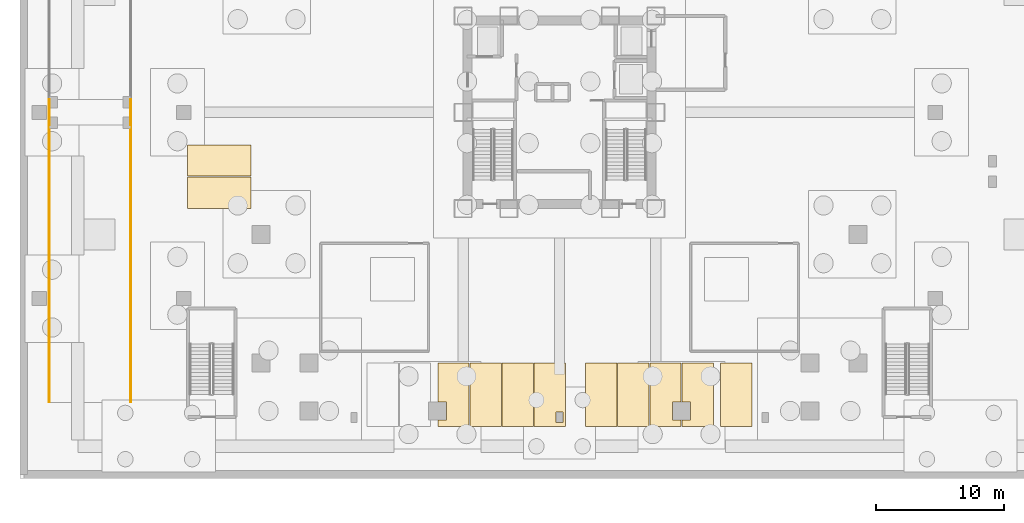
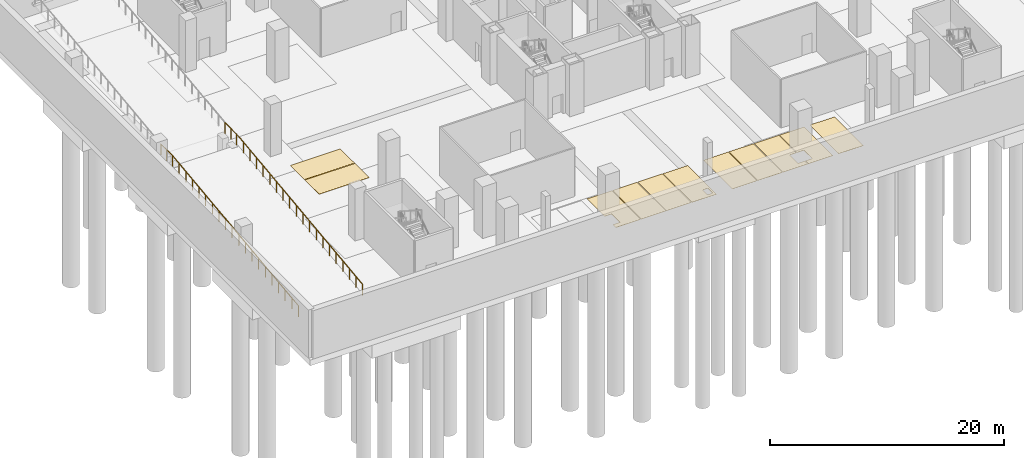
# One storey, part 10 of 16: 11 coverings, 4 railings.
"""IFC4 building model written with IfcOpenShell, lengths in metres."""

from ifc_helpers import new_model, si_unit, direction, frame, origin, origin_2d, place, context, subcontext, project, spatial, polyline, circle, outline, extrude, material, layer, layer_set, type_object, element, save


model = new_model("IFC4")

# Units and contexts
model_context = context("Model", 3, precision=1e-05, world=origin(), true_north=direction((0.0, 1.0)))
body_context = subcontext(model_context, "Body", "Model", "MODEL_VIEW")
ifc_project = project(units=[si_unit("LENGTHUNIT", "METRE"), si_unit("AREAUNIT", "SQUARE_METRE"), si_unit("VOLUMEUNIT", "CUBIC_METRE"), si_unit("PLANEANGLEUNIT", "RADIAN"), si_unit("MASSUNIT", "GRAM", prefix="KILO")], contexts=[model_context])

# Site, building, storey
site_placement = place(None, origin())
site = spatial("IfcSite", under=ifc_project, at=site_placement, CompositionType="ELEMENT")
building_placement = place(site_placement, origin())
building = spatial("IfcBuilding", under=site, at=building_placement, Name="Trevonay Congress Spire", CompositionType="ELEMENT")
storey_placement = place(building_placement, frame((0.0, 0.0, -10.800048828125)))
storey = spatial("IfcBuildingStorey", under=building, at=storey_placement, Name="B2", CompositionType="ELEMENT", Elevation=-10.800048828125)

# Coverings
ifc_material_1 = material(Name="Polished Granite Floor Tile", Category="masonry")
ifc_layer = layer(ifc_material_1, 0.02001953125, Name="Polished Granite Floor Tile")
ifc_layer_set = layer_set([ifc_layer], Name="Polished Granite Floor Tile")
covering_type = type_object("IfcCoveringType", Name="COV-FLOOR-STONE", PredefinedType="FLOORING", material=ifc_layer_set)
covering_1_placement = place(storey_placement, origin())
element("IfcCovering", 1, at=covering_1_placement, inside=storey, type_object=covering_type, Name="B2 Standard Parking Bay PK-03 floor finish", PredefinedType="FLOORING", context=body_context, shape_type="SweptSolid", body=[
    extrude(outline(polyline([(-9.469970703125, -19.530029296875), (-7.030029296875, -19.530029296875), (-7.030029296875, -24.469970703125), (-9.469970703125, -24.469970703125), (-9.469970703125, -23.9599609375), (-8.7900390625, -23.9599609375), (-8.7900390625, -22.5400390625), (-9.469970703125, -22.5400390625), (-9.469970703125, -19.530029296875)])), origin(), (0.0, 0.0, 1.0), 0.02001953125),
])
covering_2_placement = place(storey_placement, origin())
element("IfcCovering", 2, at=covering_2_placement, inside=storey, type_object=covering_type, Name="B2 Standard Parking Bay PK-04 floor finish", PredefinedType="FLOORING", context=body_context, shape_type="SweptSolid", body=[
    extrude(outline(polyline([(-6.969970703125, -24.469970703125), (-4.530029296875, -24.469970703125), (-4.530029296875, -19.530029296875), (-6.969970703125, -19.530029296875), (-6.969970703125, -24.469970703125)])), origin(), (0.0, 0.0, 1.0), 0.02001953125),
])
covering_3_placement = place(storey_placement, origin())
element("IfcCovering", 3, at=covering_3_placement, inside=storey, type_object=covering_type, Name="B2 Standard Parking Bay PK-05 floor finish", PredefinedType="FLOORING", context=body_context, shape_type="SweptSolid", body=[
    extrude(outline(polyline([(-4.469970703125, -24.469970703125), (-2.030029296875, -24.469970703125), (-2.030029296875, -19.530029296875), (-4.469970703125, -19.530029296875), (-4.469970703125, -24.469970703125)])), origin(), (0.0, 0.0, 1.0), 0.02001953125),
])
covering_4_placement = place(storey_placement, origin())
element("IfcCovering", 4, at=covering_4_placement, inside=storey, type_object=covering_type, Name="B2 Standard Parking Bay PK-06 floor finish", PredefinedType="FLOORING", context=body_context, shape_type="SweptSolid", body=[
    extrude(outline(polyline([(-1.969970703125, -19.530029296875), (0.469970703125, -19.530029296875), (0.469970703125, -24.469970703125), (-1.969970703125, -24.469970703125), (-1.969970703125, -19.530029296875)]), holes=[polyline([(0.260009765625, -24.159912109375), (0.260009765625, -23.340087890625), (-0.260009765625, -23.340087890625), (-0.260009765625, -24.159912109375), (0.260009765625, -24.159912109375)])]), origin(), (0.0, 0.0, 1.0), 0.02001953125),
])
covering_5_placement = place(storey_placement, origin())
element("IfcCovering", 5, at=covering_5_placement, inside=storey, type_object=covering_type, Name="B2 Standard Parking Bay PK-07 floor finish", PredefinedType="FLOORING", context=body_context, shape_type="SweptSolid", body=[
    extrude(outline(polyline([(2.030029296875, -24.469970703125), (4.469970703125, -24.469970703125), (4.469970703125, -19.530029296875), (2.030029296875, -19.530029296875), (2.030029296875, -24.469970703125)])), origin(), (0.0, 0.0, 1.0), 0.02001953125),
])
covering_6_placement = place(storey_placement, origin())
element("IfcCovering", 6, at=covering_6_placement, inside=storey, type_object=covering_type, Name="B2 Standard Parking Bay PK-08 floor finish", PredefinedType="FLOORING", context=body_context, shape_type="SweptSolid", body=[
    extrude(outline(polyline([(4.530029296875, -24.469970703125), (6.969970703125, -24.469970703125), (6.969970703125, -19.530029296875), (4.530029296875, -19.530029296875), (4.530029296875, -24.469970703125)])), origin(), (0.0, 0.0, 1.0), 0.02001953125),
])
covering_7_placement = place(storey_placement, origin())
element("IfcCovering", 7, at=covering_7_placement, inside=storey, type_object=covering_type, Name="B2 Standard Parking Bay PK-09 floor finish", PredefinedType="FLOORING", context=body_context, shape_type="SweptSolid", body=[
    extrude(outline(polyline([(9.469970703125, -24.469970703125), (7.030029296875, -24.469970703125), (7.030029296875, -19.530029296875), (9.469970703125, -19.530029296875), (9.469970703125, -22.5400390625), (8.7900390625, -22.5400390625), (8.7900390625, -23.9599609375), (9.469970703125, -23.9599609375), (9.469970703125, -24.469970703125)])), origin(), (0.0, 0.0, 1.0), 0.02001953125),
])
covering_8_placement = place(storey_placement, origin())
element("IfcCovering", 8, at=covering_8_placement, inside=storey, type_object=covering_type, Name="B2 Standard Parking Bay PK-10 floor finish", PredefinedType="FLOORING", context=body_context, shape_type="SweptSolid", body=[
    extrude(outline(polyline([(9.530029296875, -19.530029296875), (11.969970703125, -19.530029296875), (11.969970703125, -24.469970703125), (9.530029296875, -24.469970703125), (9.530029296875, -23.9599609375), (10.2099609375, -23.9599609375), (10.2099609375, -22.5400390625), (9.530029296875, -22.5400390625), (9.530029296875, -19.530029296875)])), origin(), (0.0, 0.0, 1.0), 0.02001953125),
])
covering_9_placement = place(storey_placement, origin())
element("IfcCovering", 9, at=covering_9_placement, inside=storey, type_object=covering_type, Name="B2 Standard Parking Bay PK-11 floor finish", PredefinedType="FLOORING", context=body_context, shape_type="SweptSolid", body=[
    extrude(outline(polyline([(12.530029296875, -24.469970703125), (14.969970703125, -24.469970703125), (14.969970703125, -19.530029296875), (12.530029296875, -19.530029296875), (12.530029296875, -24.469970703125)])), origin(), (0.0, 0.0, 1.0), 0.02001953125),
])
covering_10_placement = place(storey_placement, origin())
element("IfcCovering", 10, at=covering_10_placement, inside=storey, type_object=covering_type, Name="B2 Standard Parking Bay PK-23 floor finish", PredefinedType="FLOORING", context=body_context, shape_type="SweptSolid", body=[
    extrude(outline(polyline([(-28.969970703125, -7.469970703125), (-24.030029296875, -7.469970703125), (-24.030029296875, -5.030029296875), (-28.969970703125, -5.030029296875), (-28.969970703125, -7.469970703125)])), origin(), (0.0, 0.0, 1.0), 0.02001953125),
])
covering_11_placement = place(storey_placement, origin())
element("IfcCovering", 11, at=covering_11_placement, inside=storey, type_object=covering_type, Name="B2 Standard Parking Bay PK-24 floor finish", PredefinedType="FLOORING", context=body_context, shape_type="SweptSolid", body=[
    extrude(outline(polyline([(-28.969970703125, -4.969970703125), (-24.030029296875, -4.969970703125), (-24.030029296875, -2.530029296875), (-28.969970703125, -2.530029296875), (-28.969970703125, -4.969970703125)])), origin(), (0.0, 0.0, 1.0), 0.02001953125),
])

# Railings
ifc_material_2 = material(Name="Pale Anodised Aluminium EN AW-6063-T6", Category="aluminium")
railing_type = type_object("IfcRailingType", Name="RAL-EXT-GUARD-115", PredefinedType="GUARDRAIL", material=ifc_material_2)
railing_1_placement = place(storey_placement, frame((-39.719970703125, -22.550048828125, 0.14013671875)))
element("IfcRailing", 12, at=railing_1_placement, inside=storey, type_object=railing_type, Name="B2 perimeter safety guard GRD-B2-RMP-W-1", PredefinedType="GUARDRAIL", context=body_context, shape_type="SweptSolid", body=[
    extrude(circle(Radius=0.02392578125, at=origin_2d()), frame((0.0, 0.0, 1.1259765625), z_axis=(0.0, 0.992635755701, 0.121137345619), x_axis=(-1.0, 0.0, 0.0)), (0.0, 0.0, 1.0), 21.7099609375),
    extrude(circle(Radius=0.02099609375, at=origin_2d()), origin(), (0.0, 0.0, 1.0), 1.101806640625),
    extrude(circle(Radius=0.02099609375, at=origin_2d()), frame((0.0, 1.13427734375, 0.138427734375)), (0.0, 0.0, 1.0), 1.101806640625),
    extrude(circle(Radius=0.02099609375, at=origin_2d()), frame((0.0, 2.268310546875, 0.27685546875)), (0.0, 0.0, 1.0), 1.101806640625),
    extrude(circle(Radius=0.02099609375, at=origin_2d()), frame((0.0, 3.402587890625, 0.415283203125)), (0.0, 0.0, 1.0), 1.101806640625),
    extrude(circle(Radius=0.02099609375, at=origin_2d()), frame((0.0, 4.536865234375, 0.5537109375)), (0.0, 0.0, 1.0), 1.101806640625),
    extrude(circle(Radius=0.02099609375, at=origin_2d()), frame((0.0, 5.671142578125, 0.692138671875)), (0.0, 0.0, 1.0), 1.101806640625),
    extrude(circle(Radius=0.02099609375, at=origin_2d()), frame((0.0, 6.80517578125, 0.83056640625)), (0.0, 0.0, 1.0), 1.101806640625),
    extrude(circle(Radius=0.02099609375, at=origin_2d()), frame((0.0, 7.939453125, 0.968994140625)), (0.0, 0.0, 1.0), 1.101806640625),
    extrude(circle(Radius=0.02099609375, at=origin_2d()), frame((0.0, 9.07373046875, 1.107421875)), (0.0, 0.0, 1.0), 1.101806640625),
    extrude(circle(Radius=0.02099609375, at=origin_2d()), frame((0.0, 10.2080078125, 1.245849609375)), (0.0, 0.0, 1.0), 1.101806640625),
    extrude(circle(Radius=0.02099609375, at=origin_2d()), frame((0.0, 11.342041015625, 1.384033203125)), (0.0, 0.0, 1.0), 1.101806640625),
    extrude(circle(Radius=0.02099609375, at=origin_2d()), frame((0.0, 12.476318359375, 1.5224609375)), (0.0, 0.0, 1.0), 1.101806640625),
    extrude(circle(Radius=0.02099609375, at=origin_2d()), frame((0.0, 13.610595703125, 1.660888671875)), (0.0, 0.0, 1.0), 1.101806640625),
    extrude(circle(Radius=0.02099609375, at=origin_2d()), frame((0.0, 14.744873046875, 1.79931640625)), (0.0, 0.0, 1.0), 1.101806640625),
    extrude(circle(Radius=0.02099609375, at=origin_2d()), frame((0.0, 15.87890625, 1.937744140625)), (0.0, 0.0, 1.0), 1.101806640625),
    extrude(circle(Radius=0.02099609375, at=origin_2d()), frame((0.0, 17.01318359375, 2.076171875)), (0.0, 0.0, 1.0), 1.101806640625),
    extrude(circle(Radius=0.02099609375, at=origin_2d()), frame((0.0, 18.1474609375, 2.214599609375)), (0.0, 0.0, 1.0), 1.101806640625),
    extrude(circle(Radius=0.02099609375, at=origin_2d()), frame((0.0, 19.28173828125, 2.35302734375)), (0.0, 0.0, 1.0), 1.101806640625),
    extrude(circle(Radius=0.02099609375, at=origin_2d()), frame((0.0, 20.415771484375, 2.491455078125)), (0.0, 0.0, 1.0), 1.101806640625),
    extrude(circle(Radius=0.02099609375, at=origin_2d()), frame((0.0, 21.550048828125, 2.6298828125)), (0.0, 0.0, 1.0), 1.101806640625),
])
railing_2_placement = place(storey_placement, frame((-39.719970703125, -1.0, 2.77001953125)))
element("IfcRailing", 13, at=railing_2_placement, inside=storey, type_object=railing_type, Name="B2 perimeter safety guard GRD-B2-RMP-W-2", PredefinedType="GUARDRAIL", context=body_context, shape_type="SweptSolid", body=[
    extrude(circle(Radius=0.02392578125, at=origin_2d()), frame((0.0, 0.0, 1.1259765625), z_axis=(0.0, 1.0, 0.0), x_axis=(-1.0, 0.0, 0.0)), (0.0, 0.0, 1.0), 2.0),
    extrude(circle(Radius=0.02099609375, at=origin_2d()), origin(), (0.0, 0.0, 1.0), 1.101806640625),
    extrude(circle(Radius=0.02099609375, at=origin_2d()), frame((0.0, 1.0, 0.0)), (0.0, 0.0, 1.0), 1.101806640625),
    extrude(circle(Radius=0.02099609375, at=origin_2d()), frame((0.0, 2.0, 0.0)), (0.0, 0.0, 1.0), 1.101806640625),
])
railing_3_placement = place(storey_placement, frame((-33.3798828125, -22.550048828125, 0.14013671875)))
element("IfcRailing", 14, at=railing_3_placement, inside=storey, type_object=railing_type, Name="B2 perimeter safety guard GRD-B2-RMP-E-1", PredefinedType="GUARDRAIL", context=body_context, shape_type="SweptSolid", body=[
    extrude(circle(Radius=0.02392578125, at=origin_2d()), frame((0.0, 0.0, 1.1259765625), z_axis=(0.0, 0.992635755701, 0.121137345619), x_axis=(-1.0, 0.0, 0.0)), (0.0, 0.0, 1.0), 21.7099609375),
    extrude(circle(Radius=0.02099609375, at=origin_2d()), origin(), (0.0, 0.0, 1.0), 1.101806640625),
    extrude(circle(Radius=0.02099609375, at=origin_2d()), frame((0.0, 1.13427734375, 0.138427734375)), (0.0, 0.0, 1.0), 1.101806640625),
    extrude(circle(Radius=0.02099609375, at=origin_2d()), frame((0.0, 2.268310546875, 0.27685546875)), (0.0, 0.0, 1.0), 1.101806640625),
    extrude(circle(Radius=0.02099609375, at=origin_2d()), frame((0.0, 3.402587890625, 0.415283203125)), (0.0, 0.0, 1.0), 1.101806640625),
    extrude(circle(Radius=0.02099609375, at=origin_2d()), frame((0.0, 4.536865234375, 0.5537109375)), (0.0, 0.0, 1.0), 1.101806640625),
    extrude(circle(Radius=0.02099609375, at=origin_2d()), frame((0.0, 5.671142578125, 0.692138671875)), (0.0, 0.0, 1.0), 1.101806640625),
    extrude(circle(Radius=0.02099609375, at=origin_2d()), frame((0.0, 6.80517578125, 0.83056640625)), (0.0, 0.0, 1.0), 1.101806640625),
    extrude(circle(Radius=0.02099609375, at=origin_2d()), frame((0.0, 7.939453125, 0.968994140625)), (0.0, 0.0, 1.0), 1.101806640625),
    extrude(circle(Radius=0.02099609375, at=origin_2d()), frame((0.0, 9.07373046875, 1.107421875)), (0.0, 0.0, 1.0), 1.101806640625),
    extrude(circle(Radius=0.02099609375, at=origin_2d()), frame((0.0, 10.2080078125, 1.245849609375)), (0.0, 0.0, 1.0), 1.101806640625),
    extrude(circle(Radius=0.02099609375, at=origin_2d()), frame((0.0, 11.342041015625, 1.384033203125)), (0.0, 0.0, 1.0), 1.101806640625),
    extrude(circle(Radius=0.02099609375, at=origin_2d()), frame((0.0, 12.476318359375, 1.5224609375)), (0.0, 0.0, 1.0), 1.101806640625),
    extrude(circle(Radius=0.02099609375, at=origin_2d()), frame((0.0, 13.610595703125, 1.660888671875)), (0.0, 0.0, 1.0), 1.101806640625),
    extrude(circle(Radius=0.02099609375, at=origin_2d()), frame((0.0, 14.744873046875, 1.79931640625)), (0.0, 0.0, 1.0), 1.101806640625),
    extrude(circle(Radius=0.02099609375, at=origin_2d()), frame((0.0, 15.87890625, 1.937744140625)), (0.0, 0.0, 1.0), 1.101806640625),
    extrude(circle(Radius=0.02099609375, at=origin_2d()), frame((0.0, 17.01318359375, 2.076171875)), (0.0, 0.0, 1.0), 1.101806640625),
    extrude(circle(Radius=0.02099609375, at=origin_2d()), frame((0.0, 18.1474609375, 2.214599609375)), (0.0, 0.0, 1.0), 1.101806640625),
    extrude(circle(Radius=0.02099609375, at=origin_2d()), frame((0.0, 19.28173828125, 2.35302734375)), (0.0, 0.0, 1.0), 1.101806640625),
    extrude(circle(Radius=0.02099609375, at=origin_2d()), frame((0.0, 20.415771484375, 2.491455078125)), (0.0, 0.0, 1.0), 1.101806640625),
    extrude(circle(Radius=0.02099609375, at=origin_2d()), frame((0.0, 21.550048828125, 2.6298828125)), (0.0, 0.0, 1.0), 1.101806640625),
])
railing_4_placement = place(storey_placement, frame((-33.3798828125, -1.0, 2.77001953125)))
element("IfcRailing", 15, at=railing_4_placement, inside=storey, type_object=railing_type, Name="B2 perimeter safety guard GRD-B2-RMP-E-2", PredefinedType="GUARDRAIL", context=body_context, shape_type="SweptSolid", body=[
    extrude(circle(Radius=0.02392578125, at=origin_2d()), frame((0.0, 0.0, 1.1259765625), z_axis=(0.0, 1.0, 0.0), x_axis=(-1.0, 0.0, 0.0)), (0.0, 0.0, 1.0), 2.0),
    extrude(circle(Radius=0.02099609375, at=origin_2d()), origin(), (0.0, 0.0, 1.0), 1.101806640625),
    extrude(circle(Radius=0.02099609375, at=origin_2d()), frame((0.0, 1.0, 0.0)), (0.0, 0.0, 1.0), 1.101806640625),
    extrude(circle(Radius=0.02099609375, at=origin_2d()), frame((0.0, 2.0, 0.0)), (0.0, 0.0, 1.0), 1.101806640625),
])

save(model, "model.ifc")
